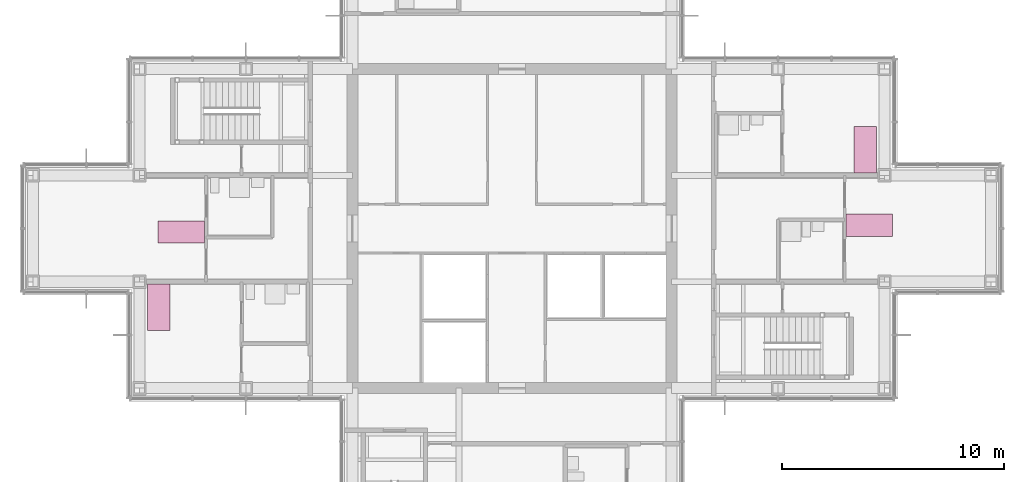
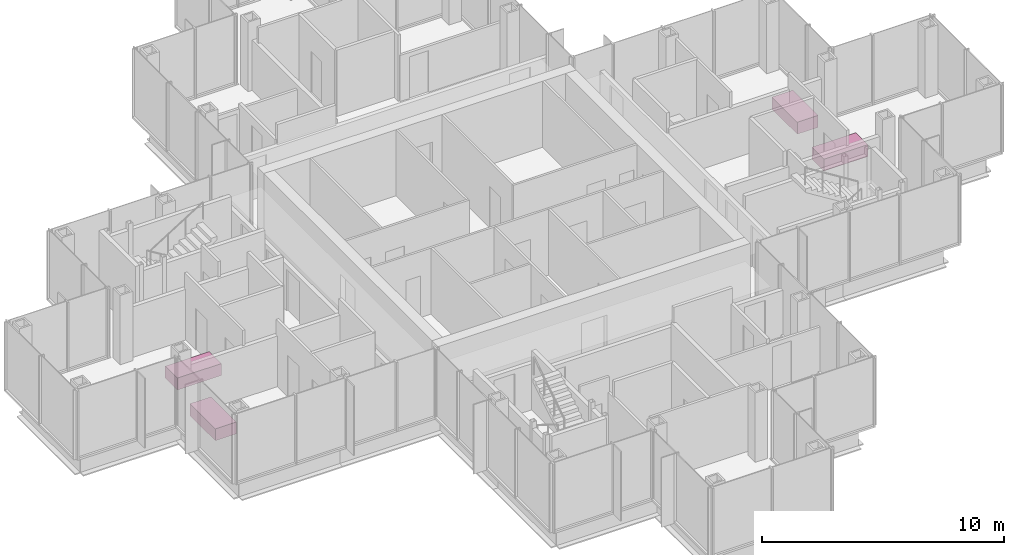
# One storey, part 17 of 17: 4 furniture elements.
"""IFC4 building model written with IfcOpenShell, lengths in metres."""

import ifcopenshell
import ifcopenshell.guid

model = None  # the IFC model being written
_history = None  # IfcOwnerHistory: only IFC2X3 demands one
_inside = {}  # id of a spatial element -> (the spatial element, [elements in it])
_under = {}  # id of a project, library or spatial element -> (it, [spatial elements below it])
_declared = {}  # id of a project -> (the project, [libraries it declares])
_typed = {}  # id of a type object -> (the type object, [elements of that type])
_made_of = {}  # id of a material, layer set ... -> (it, [elements and type objects made of it])


def new_model(schema):
    """Start an empty IFC model of exactly this schema.

    Asked for "IFC4X3", IfcOpenShell would pick the latest addendum, in which some entities
    have other attributes; the version numbers below select the first issue.
    IFC2X3 requires an IfcOwnerHistory on every rooted entity: one is made here for all.
    """
    global model, _history
    if schema == "IFC4X3":
        model = ifcopenshell.file(schema_version=(4, 3, 0, 0))
    else:
        model = ifcopenshell.file(schema=schema)
    _inside.clear()
    _under.clear()
    _declared.clear()
    _typed.clear()
    _made_of.clear()
    _history = None
    if model.schema == "IFC2X3":
        org = make("IfcOrganization", Name="unknown")
        user = make(
            "IfcPersonAndOrganization",
            ThePerson=make("IfcPerson", FamilyName="unknown"),
            TheOrganization=org,
        )
        app = make(
            "IfcApplication",
            ApplicationDeveloper=org,
            Version="unknown",
            ApplicationFullName="unknown",
            ApplicationIdentifier="unknown",
        )
        _history = make(
            "IfcOwnerHistory",
            OwningUser=user,
            OwningApplication=app,
            ChangeAction="ADDED",
            CreationDate=0,
        )
    return model


def make(cls, **values):
    """One entity of the class cls with the attributes given. An attribute that is None is left unset."""
    return model.create_entity(
        cls, **{name: value for name, value in values.items() if value is not None}
    )


def rooted(cls, **values):
    """An entity with a GlobalId (a new one), such as an element, a storey or a relation."""
    return make(cls, GlobalId=ifcopenshell.guid.new(), OwnerHistory=_history, **values)


def si_unit(unit_type, name, prefix=None):
    """IfcSIUnit, for example si_unit("LENGTHUNIT", "METRE", prefix="MILLI")."""
    return make("IfcSIUnit", UnitType=unit_type, Prefix=prefix, Name=name)


def assignment(units):
    """IfcUnitAssignment: the units of a project."""
    return None if units is None else make("IfcUnitAssignment", Units=units)


def point(xyz):
    """IfcCartesianPoint."""
    return None if xyz is None else make("IfcCartesianPoint", Coordinates=xyz)


def direction(xyz):
    """IfcDirection."""
    return None if xyz is None else make("IfcDirection", DirectionRatios=xyz)


def frame(location, z_axis=None, x_axis=None):
    """IfcAxis2Placement3D, a coordinate frame: its origin and axes. An axis left out is left unset."""
    return make(
        "IfcAxis2Placement3D",
        Location=point(location),
        Axis=direction(z_axis),
        RefDirection=direction(x_axis),
    )


def frame_2d(location, x_axis=None):
    """IfcAxis2Placement2D, a coordinate frame in the plane: its origin and x axis."""
    return make(
        "IfcAxis2Placement2D", Location=point(location), RefDirection=direction(x_axis)
    )


def origin():
    """The frame at (0, 0, 0) with its axes left unset."""
    return frame((0.0, 0.0, 0.0))


def origin_2d():
    """The frame at (0, 0) in the plane with its x axis left unset."""
    return frame_2d((0.0, 0.0))


def place(relative_to, where):
    """IfcLocalPlacement: puts the frame where relative to a parent placement (None: the world)."""
    return make(
        "IfcLocalPlacement", PlacementRelTo=relative_to, RelativePlacement=where
    )


def context(
    kind, dimensions, precision=None, world=None, true_north=None, identifier=None
):
    """IfcGeometricRepresentationContext, for example the 3D "Model" context."""
    return make(
        "IfcGeometricRepresentationContext",
        ContextIdentifier=identifier,
        ContextType=kind,
        CoordinateSpaceDimension=dimensions,
        Precision=precision,
        WorldCoordinateSystem=world,
        TrueNorth=true_north,
    )


def subcontext(parent, identifier, kind, view, scale=None):
    """IfcGeometricRepresentationSubContext, for example "Body" below "Model"."""
    return make(
        "IfcGeometricRepresentationSubContext",
        ContextIdentifier=identifier,
        ContextType=kind,
        ParentContext=parent,
        TargetScale=scale,
        TargetView=view,
    )


def project(units=None, contexts=None):
    """IfcProject with its units and contexts."""
    return rooted(
        "IfcProject",
        Name="project",
        RepresentationContexts=contexts,
        UnitsInContext=assignment(units),
    )


def spatial(cls, under=None, at=None, **own):
    """A site, building, storey or space (cls), placed at a placement, below another one or the project."""
    s = rooted(cls, ObjectPlacement=at, **own)
    if under is not None:
        _under.setdefault(under.id(), (under, []))[1].append(s)
    return s


def profile(cls, at=None, kind="AREA", **sizes):
    """A parametric profile (cls). Its sizes go by their IFC names, for example OverallWidth=200.0."""
    return make(cls, ProfileType=kind, Position=at, **sizes)


def rectangle(**sizes):
    """IfcRectangleProfileDef."""
    return profile("IfcRectangleProfileDef", **sizes)


def extrude(swept, where, along, depth):
    """IfcExtrudedAreaSolid: the profile swept, set in the frame where, extruded along a direction by depth."""
    return make(
        "IfcExtrudedAreaSolid",
        SweptArea=swept,
        Position=where,
        ExtrudedDirection=direction(along),
        Depth=depth,
    )


def shape(context_of_items, identifier, shape_type, items):
    """IfcShapeRepresentation: the items that make up one representation, for example the "Body"."""
    return make(
        "IfcShapeRepresentation",
        ContextOfItems=context_of_items,
        RepresentationIdentifier=identifier,
        RepresentationType=shape_type,
        Items=items,
    )


def material(Name=None, Category=None):
    """IfcMaterial."""
    return make("IfcMaterial", Name=Name, Category=Category)


def made_of(thing, what):
    """Note that an element or type object is made of a material, layer set ...; save() writes the relation."""
    if what is not None:
        _made_of.setdefault(what.id(), (what, []))[1].append(thing)
    return thing


def type_object(cls, material=None, **own):
    """A type object (cls), such as IfcWallType, which elements share."""
    return made_of(rooted(cls, **own), material)


def element(
    cls,
    number,
    at=None,
    inside=None,
    cuts=None,
    type_object=None,
    material=None,
    context=None,
    identifier="Body",
    shape_type=None,
    held_by="IfcProductDefinitionShape",
    body=None,
    shapes=None,
    **own,
):
    """One element of the class cls, such as IfcWall. Its Tag is "e" and its number.

    at: its placement. inside: the storey or other place that contains it. cuts: it is an
    opening in that element (IfcRelVoidsElement). A single representation is given by context,
    identifier, shape_type and body (its items); several are given by shapes. held_by: the class
    of the entity that holds the representations. save() writes the other relations.
    """
    e = rooted(cls, Tag="e%d" % number, ObjectPlacement=at, **own)
    if body is not None:
        shapes = [shape(context, identifier, shape_type, body)]
    if shapes is not None:
        e.Representation = make(held_by, Representations=shapes)
    if inside is not None:
        _inside.setdefault(inside.id(), (inside, []))[1].append(e)
    if cuts is not None:
        rooted(
            "IfcRelVoidsElement", RelatingBuildingElement=cuts, RelatedOpeningElement=e
        )
    if type_object is not None:
        _typed.setdefault(type_object.id(), (type_object, []))[1].append(e)
    return made_of(e, material)


def aggregate(whole, parts):
    """IfcRelAggregates: a whole, such as a stair, and the parts it consists of."""
    return rooted("IfcRelAggregates", RelatingObject=whole, RelatedObjects=parts)


def save(model, path):
    """Write the relations noted so far, then the file.

    IfcRelAggregates (storeys below a building ...), IfcRelContainedInSpatialStructure (elements
    in a storey), IfcRelDefinesByType, IfcRelAssociatesMaterial and IfcRelDeclares: one each for
    every whole, place, type object, material and project.
    """
    for whole, parts in _under.values():
        aggregate(whole, parts)
    for where, things in _inside.values():
        rooted(
            "IfcRelContainedInSpatialStructure",
            RelatedElements=things,
            RelatingStructure=where,
        )
    for kind, things in _typed.values():
        rooted("IfcRelDefinesByType", RelatedObjects=things, RelatingType=kind)
    for what, things in _made_of.values():
        rooted("IfcRelAssociatesMaterial", RelatedObjects=things, RelatingMaterial=what)
    for by, libraries in _declared.values():
        rooted("IfcRelDeclares", RelatingContext=by, RelatedDefinitions=libraries)
    model.write(path)


model = new_model("IFC4")

# Units and contexts
model_context = context("Model", 3, precision=1e-05, world=origin(), true_north=direction((0.0, 1.0)))
body_context = subcontext(model_context, "Body", "Model", "MODEL_VIEW")
ifc_project = project(units=[si_unit("LENGTHUNIT", "METRE"), si_unit("AREAUNIT", "SQUARE_METRE"), si_unit("VOLUMEUNIT", "CUBIC_METRE"), si_unit("PLANEANGLEUNIT", "RADIAN"), si_unit("MASSUNIT", "GRAM", prefix="KILO")], contexts=[model_context])

# Site, building, storey
site_placement = place(None, origin())
site = spatial("IfcSite", under=ifc_project, at=site_placement, CompositionType="ELEMENT")
building_placement = place(site_placement, origin())
building = spatial("IfcBuilding", under=site, at=building_placement, Name="Kvirike Care Tower", CompositionType="ELEMENT")
storey_placement = place(building_placement, frame((0.0, 0.0, 172.5)))
storey = spatial("IfcBuildingStorey", under=building, at=storey_placement, Name="L47", CompositionType="ELEMENT", Elevation=172.5)

# Furniture
ifc_material = material(Name="Steel frame", Category="steel")
furniture_type = type_object("IfcFurnitureType", Name="CARE BED 1000 x 2100", AssemblyPlace="FACTORY", PredefinedType="BED", material=ifc_material)
for number, where, z_axis, x_axis, name in (
    (1, (6.68798828125, 35.85009765625, 0.0), (0.0, 0.0, 1.0), (0.0, -1.0, 0.0), "Care bed L47-005"),
    (2, (5.669921875, 32.447998046875, 0.0), (0.0, 0.0, 1.0), (1.0, 0.0, 0.0), "Care bed L47-008"),
    (3, (37.7119140625, 36.14990234375, 0.0), (0.0, 0.0, 1.0), (0.0, 1.0, 0.0), "Care bed L47-030"),
    (4, (37.530029296875, 39.552001953125, 0.0), (0.0, 0.0, 1.0), (-1.0, 0.0, 0.0), "Care bed L47-033"),
):
    element("IfcFurniture", number, at=place(storey_placement, frame(where, z_axis=z_axis, x_axis=x_axis)), inside=storey, type_object=furniture_type, Name=name, PredefinedType="BED", context=body_context, shape_type="SweptSolid", body=[
        extrude(rectangle(XDim=1.0, YDim=2.10009765625, at=origin_2d()), origin(), (0.0, 0.0, 1.0), 0.60009765625),
    ])

save(model, "model.ifc")
